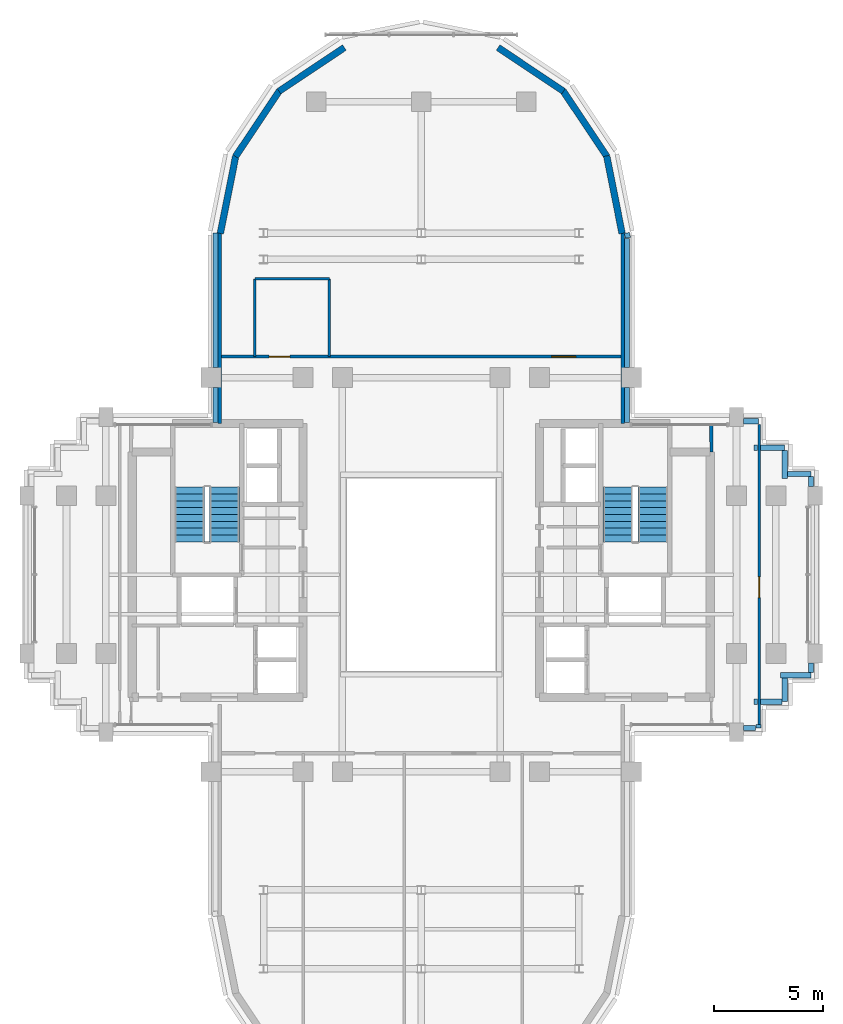
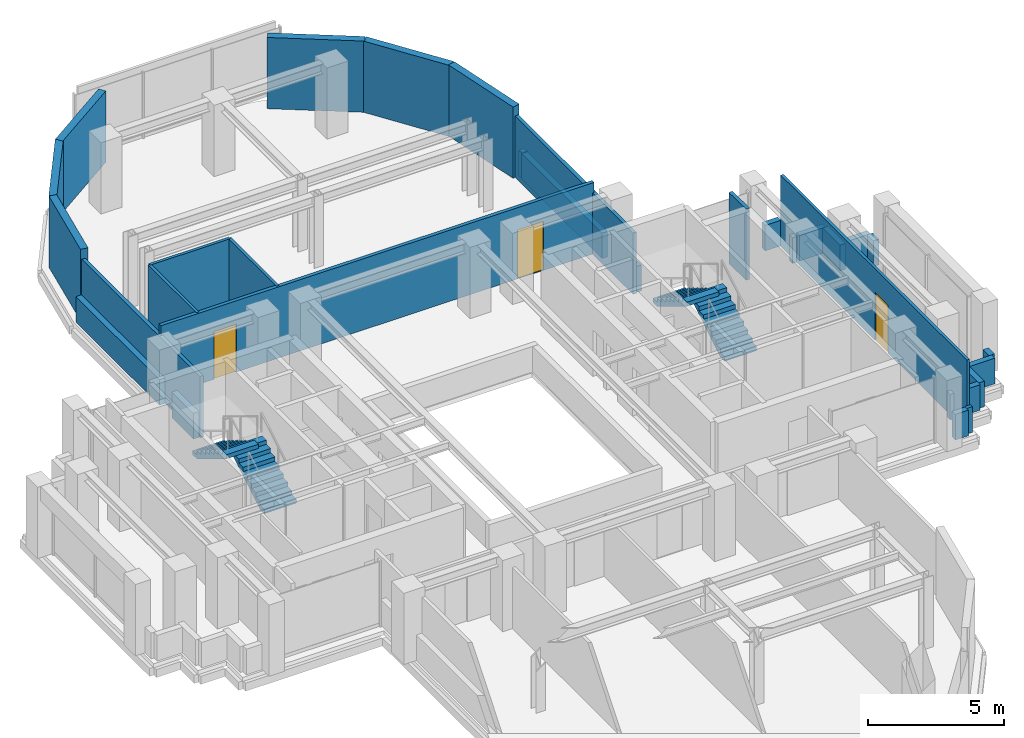
# One storey, part 8 of 11: 32 walls, 4 stair flights, 3 doors, 3 openings, 2 elements without a shape of their own.
"""IFC4 building model written with IfcOpenShell, lengths in metres."""

import ifcopenshell
import ifcopenshell.guid

model = None  # the IFC model being written
_history = None  # IfcOwnerHistory: only IFC2X3 demands one
_inside = {}  # id of a spatial element -> (the spatial element, [elements in it])
_under = {}  # id of a project, library or spatial element -> (it, [spatial elements below it])
_declared = {}  # id of a project -> (the project, [libraries it declares])
_typed = {}  # id of a type object -> (the type object, [elements of that type])
_made_of = {}  # id of a material, layer set ... -> (it, [elements and type objects made of it])


def new_model(schema):
    """Start an empty IFC model of exactly this schema.

    Asked for "IFC4X3", IfcOpenShell would pick the latest addendum, in which some entities
    have other attributes; the version numbers below select the first issue.
    IFC2X3 requires an IfcOwnerHistory on every rooted entity: one is made here for all.
    """
    global model, _history
    if schema == "IFC4X3":
        model = ifcopenshell.file(schema_version=(4, 3, 0, 0))
    else:
        model = ifcopenshell.file(schema=schema)
    _inside.clear()
    _under.clear()
    _declared.clear()
    _typed.clear()
    _made_of.clear()
    _history = None
    if model.schema == "IFC2X3":
        org = make("IfcOrganization", Name="unknown")
        user = make(
            "IfcPersonAndOrganization",
            ThePerson=make("IfcPerson", FamilyName="unknown"),
            TheOrganization=org,
        )
        app = make(
            "IfcApplication",
            ApplicationDeveloper=org,
            Version="unknown",
            ApplicationFullName="unknown",
            ApplicationIdentifier="unknown",
        )
        _history = make(
            "IfcOwnerHistory",
            OwningUser=user,
            OwningApplication=app,
            ChangeAction="ADDED",
            CreationDate=0,
        )
    return model


def make(cls, **values):
    """One entity of the class cls with the attributes given. An attribute that is None is left unset."""
    return model.create_entity(
        cls, **{name: value for name, value in values.items() if value is not None}
    )


def rooted(cls, **values):
    """An entity with a GlobalId (a new one), such as an element, a storey or a relation."""
    return make(cls, GlobalId=ifcopenshell.guid.new(), OwnerHistory=_history, **values)


def si_unit(unit_type, name, prefix=None):
    """IfcSIUnit, for example si_unit("LENGTHUNIT", "METRE", prefix="MILLI")."""
    return make("IfcSIUnit", UnitType=unit_type, Prefix=prefix, Name=name)


def assignment(units):
    """IfcUnitAssignment: the units of a project."""
    return None if units is None else make("IfcUnitAssignment", Units=units)


def point(xyz):
    """IfcCartesianPoint."""
    return None if xyz is None else make("IfcCartesianPoint", Coordinates=xyz)


def direction(xyz):
    """IfcDirection."""
    return None if xyz is None else make("IfcDirection", DirectionRatios=xyz)


def frame(location, z_axis=None, x_axis=None):
    """IfcAxis2Placement3D, a coordinate frame: its origin and axes. An axis left out is left unset."""
    return make(
        "IfcAxis2Placement3D",
        Location=point(location),
        Axis=direction(z_axis),
        RefDirection=direction(x_axis),
    )


def frame_2d(location, x_axis=None):
    """IfcAxis2Placement2D, a coordinate frame in the plane: its origin and x axis."""
    return make(
        "IfcAxis2Placement2D", Location=point(location), RefDirection=direction(x_axis)
    )


def origin():
    """The frame at (0, 0, 0) with its axes left unset."""
    return frame((0.0, 0.0, 0.0))


def place(relative_to, where):
    """IfcLocalPlacement: puts the frame where relative to a parent placement (None: the world)."""
    return make(
        "IfcLocalPlacement", PlacementRelTo=relative_to, RelativePlacement=where
    )


def context(
    kind, dimensions, precision=None, world=None, true_north=None, identifier=None
):
    """IfcGeometricRepresentationContext, for example the 3D "Model" context."""
    return make(
        "IfcGeometricRepresentationContext",
        ContextIdentifier=identifier,
        ContextType=kind,
        CoordinateSpaceDimension=dimensions,
        Precision=precision,
        WorldCoordinateSystem=world,
        TrueNorth=true_north,
    )


def subcontext(parent, identifier, kind, view, scale=None):
    """IfcGeometricRepresentationSubContext, for example "Body" below "Model"."""
    return make(
        "IfcGeometricRepresentationSubContext",
        ContextIdentifier=identifier,
        ContextType=kind,
        ParentContext=parent,
        TargetScale=scale,
        TargetView=view,
    )


def project(units=None, contexts=None):
    """IfcProject with its units and contexts."""
    return rooted(
        "IfcProject",
        Name="project",
        RepresentationContexts=contexts,
        UnitsInContext=assignment(units),
    )


def spatial(cls, under=None, at=None, **own):
    """A site, building, storey or space (cls), placed at a placement, below another one or the project."""
    s = rooted(cls, ObjectPlacement=at, **own)
    if under is not None:
        _under.setdefault(under.id(), (under, []))[1].append(s)
    return s


def polyline(points):
    """IfcPolyline through the points."""
    return make("IfcPolyline", Points=[point(p) for p in points])


def profile(cls, at=None, kind="AREA", **sizes):
    """A parametric profile (cls). Its sizes go by their IFC names, for example OverallWidth=200.0."""
    return make(cls, ProfileType=kind, Position=at, **sizes)


def rectangle(**sizes):
    """IfcRectangleProfileDef."""
    return profile("IfcRectangleProfileDef", **sizes)


def outline(outer, holes=None, kind="AREA"):
    """IfcArbitraryClosedProfileDef: a profile drawn as a closed curve; with holes, ...WithVoids."""
    if holes is None:
        return make("IfcArbitraryClosedProfileDef", ProfileType=kind, OuterCurve=outer)
    return make(
        "IfcArbitraryProfileDefWithVoids",
        ProfileType=kind,
        OuterCurve=outer,
        InnerCurves=holes,
    )


def extrude(swept, where, along, depth):
    """IfcExtrudedAreaSolid: the profile swept, set in the frame where, extruded along a direction by depth."""
    return make(
        "IfcExtrudedAreaSolid",
        SweptArea=swept,
        Position=where,
        ExtrudedDirection=direction(along),
        Depth=depth,
    )


def shape(context_of_items, identifier, shape_type, items):
    """IfcShapeRepresentation: the items that make up one representation, for example the "Body"."""
    return make(
        "IfcShapeRepresentation",
        ContextOfItems=context_of_items,
        RepresentationIdentifier=identifier,
        RepresentationType=shape_type,
        Items=items,
    )


def source(mapping_origin, context_of_items, identifier, shape_type, items):
    """IfcRepresentationMap: a shape defined once, which mapped items show again and again."""
    return make(
        "IfcRepresentationMap",
        MappingOrigin=mapping_origin,
        MappedRepresentation=shape(context_of_items, identifier, shape_type, items),
    )


def transform(
    local_origin,
    x_axis=None,
    y_axis=None,
    z_axis=None,
    scale=None,
    scale2=None,
    scale3=None,
    uniform=True,
):
    """IfcCartesianTransformationOperator3D, or its non-uniform kind. x_axis, y_axis, z_axis: its Axis1, 2, 3."""
    if uniform:
        return make(
            "IfcCartesianTransformationOperator3D",
            Axis1=direction(x_axis),
            Axis2=direction(y_axis),
            LocalOrigin=point(local_origin),
            Scale=scale,
            Axis3=direction(z_axis),
        )
    return make(
        "IfcCartesianTransformationOperator3DnonUniform",
        Axis1=direction(x_axis),
        Axis2=direction(y_axis),
        LocalOrigin=point(local_origin),
        Scale=scale,
        Axis3=direction(z_axis),
        Scale2=scale2,
        Scale3=scale3,
    )


def mapped(mapping_source, mapping_target):
    """IfcMappedItem: shows the shape of a source again, moved by a transform."""
    return make(
        "IfcMappedItem", MappingSource=mapping_source, MappingTarget=mapping_target
    )


def material(Name=None, Category=None):
    """IfcMaterial."""
    return make("IfcMaterial", Name=Name, Category=Category)


def layer(
    of_material, thickness, ventilated=None, Name=None, Category=None, Priority=None
):
    """IfcMaterialLayer: one layer of a wall or slab, of a material (None: an air gap)."""
    return make(
        "IfcMaterialLayer",
        Material=of_material,
        LayerThickness=thickness,
        IsVentilated=ventilated,
        Name=Name,
        Category=Category,
        Priority=Priority,
    )


def layer_set(layers, Name=None):
    """IfcMaterialLayerSet."""
    return make("IfcMaterialLayerSet", MaterialLayers=layers, LayerSetName=Name)


def made_of(thing, what):
    """Note that an element or type object is made of a material, layer set ...; save() writes the relation."""
    if what is not None:
        _made_of.setdefault(what.id(), (what, []))[1].append(thing)
    return thing


def type_object(cls, material=None, **own):
    """A type object (cls), such as IfcWallType, which elements share."""
    return made_of(rooted(cls, **own), material)


def element(
    cls,
    number,
    at=None,
    inside=None,
    cuts=None,
    type_object=None,
    material=None,
    context=None,
    identifier="Body",
    shape_type=None,
    held_by="IfcProductDefinitionShape",
    body=None,
    shapes=None,
    **own,
):
    """One element of the class cls, such as IfcWall. Its Tag is "e" and its number.

    at: its placement. inside: the storey or other place that contains it. cuts: it is an
    opening in that element (IfcRelVoidsElement). A single representation is given by context,
    identifier, shape_type and body (its items); several are given by shapes. held_by: the class
    of the entity that holds the representations. save() writes the other relations.
    """
    e = rooted(cls, Tag="e%d" % number, ObjectPlacement=at, **own)
    if body is not None:
        shapes = [shape(context, identifier, shape_type, body)]
    if shapes is not None:
        e.Representation = make(held_by, Representations=shapes)
    if inside is not None:
        _inside.setdefault(inside.id(), (inside, []))[1].append(e)
    if cuts is not None:
        rooted(
            "IfcRelVoidsElement", RelatingBuildingElement=cuts, RelatedOpeningElement=e
        )
    if type_object is not None:
        _typed.setdefault(type_object.id(), (type_object, []))[1].append(e)
    return made_of(e, material)


def fill(opening, filler):
    """IfcRelFillsElement: the door or window that sits in an opening."""
    return rooted(
        "IfcRelFillsElement",
        RelatingOpeningElement=opening,
        RelatedBuildingElement=filler,
    )


def aggregate(whole, parts):
    """IfcRelAggregates: a whole, such as a stair, and the parts it consists of."""
    return rooted("IfcRelAggregates", RelatingObject=whole, RelatedObjects=parts)


def save(model, path):
    """Write the relations noted so far, then the file.

    IfcRelAggregates (storeys below a building ...), IfcRelContainedInSpatialStructure (elements
    in a storey), IfcRelDefinesByType, IfcRelAssociatesMaterial and IfcRelDeclares: one each for
    every whole, place, type object, material and project.
    """
    for whole, parts in _under.values():
        aggregate(whole, parts)
    for where, things in _inside.values():
        rooted(
            "IfcRelContainedInSpatialStructure",
            RelatedElements=things,
            RelatingStructure=where,
        )
    for kind, things in _typed.values():
        rooted("IfcRelDefinesByType", RelatedObjects=things, RelatingType=kind)
    for what, things in _made_of.values():
        rooted("IfcRelAssociatesMaterial", RelatedObjects=things, RelatingMaterial=what)
    for by, libraries in _declared.values():
        rooted("IfcRelDeclares", RelatingContext=by, RelatedDefinitions=libraries)
    model.write(path)


model = new_model("IFC4")

# Units and contexts
model_context = context("Model", 3, precision=1e-05, world=origin(), true_north=direction((0.0, 1.0)))
body_context = subcontext(model_context, "Body", "Model", "MODEL_VIEW")
ifc_project = project(units=[si_unit("LENGTHUNIT", "METRE"), si_unit("AREAUNIT", "SQUARE_METRE"), si_unit("VOLUMEUNIT", "CUBIC_METRE"), si_unit("PLANEANGLEUNIT", "RADIAN"), si_unit("MASSUNIT", "GRAM", prefix="KILO")], contexts=[model_context])

# Site, building, storey
site_placement = place(None, origin())
site = spatial("IfcSite", under=ifc_project, at=site_placement, CompositionType="ELEMENT")
building_placement = place(site_placement, origin())
building = spatial("IfcBuilding", under=site, at=building_placement, Name="Keilestroom Media Tower", CompositionType="ELEMENT")
storey_placement = place(building_placement, frame((0.0, 0.0, 167.199951171875)))
storey = spatial("IfcBuildingStorey", under=building, at=storey_placement, Name="L45", CompositionType="ELEMENT", Elevation=167.199951171875)

# Walls
ifc_material_1 = material(Name="Precast concrete C40/50", Category="concrete")
ifc_layer_1 = layer(ifc_material_1, 0.300048828125)
ifc_layer_set_1 = layer_set([ifc_layer_1], Name="Precast concrete C40/50")
wall_type_1 = type_object("IfcWallType", Name="Exterior-Masonry-Spandrel-Wall-300", PredefinedType="SOLIDWALL", material=ifc_layer_set_1)
for number, where, z_axis, x_axis, name in (
    (1, (9.1748046875, 15.585205078125, 0.0), (0.0, 0.0, 1.0), (-0.195114232679, 0.980780523974, 0.0), "L45 Lobe Facet Precast Frame Wall 01"),
    (2, (8.48193359375, 19.097412109375, 0.0), (0.0, 0.0, 1.0), (-0.555574187116, 0.831466970246, 0.0), "L45 Lobe Facet Precast Frame Wall 02"),
):
    element("IfcWall", number, at=place(storey_placement, frame(where, z_axis=z_axis, x_axis=x_axis)), inside=storey, type_object=wall_type_1, Name=name, PredefinedType="SOLIDWALL", context=body_context, shape_type="SweptSolid", body=[
        extrude(rectangle(XDim=3.608642578125, YDim=0.300048828125, at=frame_2d((1.80419921875, 0.0))), origin(), (0.0, 0.0, 1.0), 3.199951171875),
    ])
for number, where, z_axis, x_axis, name in (
    (3, (6.497802734375, 22.0771484375, 0.0), (0.0, 0.0, 1.0), (-0.8314749531, 0.555562239868, 0.0), "L45 Lobe Facet Precast Frame Wall 03"),
    (4, (-3.510009765625, 24.073486328125, 0.0), (0.0, 0.0, 1.0), (-0.8314749531, -0.555562239868, 0.0), "L45 Lobe Facet Precast Frame Wall 04"),
):
    element("IfcWall", number, at=place(storey_placement, frame(where, z_axis=z_axis, x_axis=x_axis)), inside=storey, type_object=wall_type_1, Name=name, PredefinedType="SOLIDWALL", context=body_context, shape_type="SweptSolid", body=[
        extrude(rectangle(XDim=3.59326171875, YDim=0.300048828125, at=frame_2d((1.796630859375, 0.0))), origin(), (0.0, 0.0, 1.0), 3.199951171875),
    ])
for number, where, z_axis, x_axis, name in (
    (5, (-6.47705078125, 22.097900390625, 0.0), (0.0, 0.0, 1.0), (-0.555574187116, -0.831466970246, 0.0), "L45 Lobe Facet Precast Frame Wall 05"),
    (6, (-8.470703125, 19.12451171875, 0.0), (0.0, 0.0, 1.0), (-0.195114232679, -0.980780523974, 0.0), "L45 Lobe Facet Precast Frame Wall 06"),
):
    element("IfcWall", number, at=place(storey_placement, frame(where, z_axis=z_axis, x_axis=x_axis)), inside=storey, type_object=wall_type_1, Name=name, PredefinedType="SOLIDWALL", context=body_context, shape_type="SweptSolid", body=[
        extrude(rectangle(XDim=3.608642578125, YDim=0.300048828125, at=frame_2d((1.80419921875, 0.0))), origin(), (0.0, 0.0, 1.0), 3.199951171875),
    ])
ifc_material_2 = material(Name="Gypsum Plasterboard & Steel Stud", Category="steel")
ifc_layer_2 = layer(ifc_material_2, 0.1201171875)
ifc_layer_set_2 = layer_set([ifc_layer_2], Name="Gypsum Plasterboard & Steel Stud")
wall_type_2 = type_object("IfcWallType", Name="Interior-Partition-Wall-120", PredefinedType="PARTITIONING", material=ifc_layer_set_2)
wall_1_placement = place(storey_placement, frame((-7.60009765625, 13.510009765625, 0.0), z_axis=(0.0, 0.0, 1.0), x_axis=(1.0, 0.0, 0.0)))
element("IfcWall", 7, at=wall_1_placement, inside=storey, type_object=wall_type_2, Name="L45 Interior Wall WP-L45-NL-WC-N", PredefinedType="PARTITIONING", context=body_context, shape_type="SweptSolid", body=[
    extrude(rectangle(XDim=3.400146484375, YDim=0.1201171875, at=frame_2d((1.7001953125, 0.0))), origin(), (0.0, 0.0, 1.0), 3.199951171875),
])
for number, where, z_axis, x_axis, name in (
    (8, (-7.60009765625, 9.9599609375, 0.0), (0.0, 0.0, 1.0), (0.0, 1.0, 0.0), "L45 Interior Wall WP-L45-NL-WC-W"),
    (9, (-4.199951171875, 9.9599609375, 0.0), (0.0, 0.0, 1.0), (0.0, 1.0, 0.0), "L45 Interior Wall WP-L45-NL-WC-E"),
):
    element("IfcWall", number, at=place(storey_placement, frame(where, z_axis=z_axis, x_axis=x_axis)), inside=storey, type_object=wall_type_2, Name=name, PredefinedType="PARTITIONING", context=body_context, shape_type="SweptSolid", body=[
        extrude(rectangle(XDim=3.550048828125, YDim=0.1201171875, at=frame_2d((1.77490234375, 0.0))), origin(), (0.0, 0.0, 1.0), 3.199951171875),
    ])

# Wall, opening, door
wall_2_placement = place(storey_placement, frame((15.429931640625, -6.85009765625, 0.0), z_axis=(0.0, 0.0, 1.0), x_axis=(0.0, 1.0, 0.0)))
wall_2 = element("IfcWall", 10, at=wall_2_placement, inside=storey, type_object=wall_type_2, Name="L45 Interior Wall WP-L45-EA-V", PredefinedType="PARTITIONING", context=body_context, shape_type="SweptSolid", body=[
    extrude(rectangle(XDim=13.7001953125, YDim=0.1201171875, at=frame_2d((6.85009765625, 0.0))), origin(), (0.0, 0.0, 1.0), 3.199951171875),
])
opening_1_placement = place(wall_2_placement, frame((5.800048828125, 0.0, 0.0)))
opening_1 = element("IfcOpeningElement", 11, at=opening_1_placement, cuts=wall_2, Name="Opening DI-03", PredefinedType="OPENING", context=body_context, shape_type="SweptSolid", body=[
    extrude(rectangle(XDim=0.949951171875, YDim=2.14990234375, at=frame_2d((0.47509765625, 1.074951171875))), frame((0.0, 0.070068359375, 0.0), z_axis=(0.0, -1.0, 0.0), x_axis=(1.0, 0.0, 0.0)), (0.0, 0.0, 1.0), 0.14013671875),
])
ifc_material_3 = material(Name="Lacquered European Oak Leaf", Category="wood")
door_type_1 = type_object("IfcDoorType", Name="Interior-Room-And-Suite-Door-DI-03", OperationType="NOTDEFINED", PredefinedType="DOOR", material=ifc_material_3)
shared_shape_1 = source(origin(), body_context, "Body", "SweptSolid", [
    extrude(rectangle(XDim=0.949951171875, YDim=2.14990234375, at=frame_2d((0.47509765625, 1.074951171875))), frame((0.0, 0.02490234375, 0.0), z_axis=(0.0, -1.0, 0.0), x_axis=(1.0, 0.0, 0.0)), (0.0, 0.0, 1.0), 0.050048828125),
])
door_1_placement = place(opening_1_placement, origin())
door_1 = element("IfcDoor", 12, at=door_1_placement, inside=storey, type_object=door_type_1, Name="L45 Interior Door DI-L45-DEA-E", OperationType="SINGLE_SWING_RIGHT", OverallHeight=2.14990234375, OverallWidth=0.949951171875, PredefinedType="DOOR", context=body_context, shape_type="MappedRepresentation", body=[
    mapped(shared_shape_1, transform((0.0, 0.0, 0.0), x_axis=(1.0, 0.0, 0.0), y_axis=(0.0, 1.0, 0.0), z_axis=(0.0, 0.0, 1.0), scale=1.0)),
])
fill(opening_1, door_1)

# Wall, openings, doors
ifc_layer_3 = layer(ifc_material_2, 0.14990234375)
ifc_layer_set_3 = layer_set([ifc_layer_3], Name="Gypsum Plasterboard & Steel Stud")
wall_type_3 = type_object("IfcWallType", Name="Interior-Partition-Wall-150", PredefinedType="PARTITIONING", material=ifc_layer_set_3)
wall_3_placement = place(storey_placement, frame((-9.199951171875, 9.9599609375, 0.0), z_axis=(0.0, 0.0, 1.0), x_axis=(1.0, 0.0, 0.0)))
wall_3 = element("IfcWall", 13, at=wall_3_placement, inside=storey, type_object=wall_type_3, Name="L45 Interior Wall WP-L45-NL-BASE", PredefinedType="PARTITIONING", context=body_context, shape_type="SweptSolid", body=[
    extrude(rectangle(XDim=18.39990234375, YDim=0.14990234375, at=frame_2d((9.199951171875, 0.0))), origin(), (0.0, 0.0, 1.0), 3.199951171875),
])
opening_2_placement = place(wall_3_placement, frame((2.25, 0.0, 0.0)))
opening_2 = element("IfcOpeningElement", 14, at=opening_2_placement, cuts=wall_3, Name="Opening DI-03", PredefinedType="OPENING", context=body_context, shape_type="SweptSolid", body=[
    extrude(rectangle(XDim=0.949951171875, YDim=2.14990234375, at=frame_2d((0.47509765625, 1.074951171875))), frame((0.0, 0.0849609375, 0.0), z_axis=(0.0, -1.0, 0.0), x_axis=(1.0, 0.0, 0.0)), (0.0, 0.0, 1.0), 0.169921875),
])
opening_3_placement = place(wall_3_placement, frame((15.14990234375, 0.0, 0.0)))
opening_3 = element("IfcOpeningElement", 15, at=opening_3_placement, cuts=wall_3, Name="Opening DI-04", PredefinedType="OPENING", context=body_context, shape_type="SweptSolid", body=[
    extrude(rectangle(XDim=1.10009765625, YDim=2.199951171875, at=frame_2d((0.550048828125, 1.10009765625))), frame((0.0, 0.0849609375, 0.0), z_axis=(0.0, -1.0, 0.0), x_axis=(1.0, 0.0, 0.0)), (0.0, 0.0, 1.0), 0.169921875),
])
door_2_placement = place(opening_2_placement, origin())
door_2 = element("IfcDoor", 16, at=door_2_placement, inside=storey, type_object=door_type_1, Name="L45 Interior Door DI-L45-DNL-WC", OperationType="SINGLE_SWING_RIGHT", OverallHeight=2.14990234375, OverallWidth=0.949951171875, PredefinedType="DOOR", context=body_context, shape_type="MappedRepresentation", body=[
    mapped(shared_shape_1, transform((0.0, 0.0, 0.0), x_axis=(1.0, 0.0, 0.0), y_axis=(0.0, 1.0, 0.0), z_axis=(0.0, 0.0, 1.0), scale=1.0)),
])
fill(opening_2, door_2)
ifc_material_4 = material(Name="Acoustic Glazed Aluminium Leaf", Category="aluminium")
door_type_2 = type_object("IfcDoorType", Name="Interior-Room-And-Suite-Door-DI-04", OperationType="NOTDEFINED", PredefinedType="DOOR", material=ifc_material_4)
shared_shape_2 = source(origin(), body_context, "Body", "SweptSolid", [
    extrude(rectangle(XDim=1.10009765625, YDim=2.199951171875, at=frame_2d((0.550048828125, 1.10009765625))), frame((0.0, 0.02490234375, 0.0), z_axis=(0.0, -1.0, 0.0), x_axis=(1.0, 0.0, 0.0)), (0.0, 0.0, 1.0), 0.050048828125),
])
door_3_placement = place(opening_3_placement, origin())
door_3 = element("IfcDoor", 17, at=door_3_placement, inside=storey, type_object=door_type_2, Name="L45 Interior Door DI-L45-DNL-HALL", OperationType="SINGLE_SWING_LEFT", OverallHeight=2.199951171875, OverallWidth=1.10009765625, PredefinedType="DOOR", context=body_context, shape_type="MappedRepresentation", body=[
    mapped(shared_shape_2, transform((0.0, 0.0, 0.0), x_axis=(1.0, 0.0, 0.0), y_axis=(0.0, 1.0, 0.0), z_axis=(0.0, 0.0, 1.0), scale=1.0)),
])
fill(opening_3, door_3)

# Walls
for number, where, z_axis, x_axis, name in (
    (18, (-9.199951171875, 6.89990234375, 0.0), (0.0, 0.0, 1.0), (0.0, 1.0, 0.0), "L45 Interior Wall WP-L45-NL-CHKW"),
    (19, (9.199951171875, 6.89990234375, 0.0), (0.0, 0.0, 1.0), (0.0, 1.0, 0.0), "L45 Interior Wall WP-L45-NL-CHKE"),
):
    element("IfcWall", number, at=place(storey_placement, frame(where, z_axis=z_axis, x_axis=x_axis)), inside=storey, type_object=wall_type_3, Name=name, PredefinedType="PARTITIONING", context=body_context, shape_type="SweptSolid", body=[
        extrude(rectangle(XDim=8.780029296875, YDim=0.14990234375, at=frame_2d((4.39013671875, 0.0))), origin(), (0.0, 0.0, 1.0), 2.75),
    ])
wall_4_placement = place(storey_placement, frame((13.260009765625, 5.60009765625, 0.0), z_axis=(0.0, 0.0, 1.0), x_axis=(-0.016013571389, 0.999871774545, 0.0)))
element("IfcWall", 20, at=wall_4_placement, inside=storey, type_object=wall_type_3, Name="L45 Interior Wall WP-L45-EA-ENTN", PredefinedType="PARTITIONING", context=body_context, shape_type="SweptSolid", body=[
    extrude(rectangle(XDim=1.250244140625, YDim=0.14990234375, at=frame_2d((0.625, 0.0))), origin(), (0.0, 0.0, 1.0), 3.199951171875),
])
ifc_layer_4 = layer(ifc_material_1, 0.239990234375)
ifc_layer_set_4 = layer_set([ifc_layer_4], Name="Precast concrete C40/50")
wall_type_4 = type_object("IfcWallType", Name="Roof-And-Terrace-Parapet-Wall-240", PredefinedType="PARAPET", material=ifc_layer_set_4)
wall_5_placement = place(storey_placement, frame((17.800048828125, -4.60009765625, 0.0), z_axis=(0.0, 0.0, 1.0), x_axis=(-1.0, 0.0, 0.0)))
element("IfcWall", 21, at=wall_5_placement, inside=storey, type_object=wall_type_4, Name="L45 Perimeter Edge Parapet Wall 01", PredefinedType="PARAPET", context=body_context, shape_type="SweptSolid", body=[
    extrude(rectangle(XDim=1.400146484375, YDim=0.239990234375, at=frame_2d((0.7001953125, 0.0))), origin(), (0.0, 0.0, 1.0), 1.150146484375),
])
wall_6_placement = place(storey_placement, frame((16.60009765625, -4.722900390625, 0.0), z_axis=(0.0, 0.0, 1.0), x_axis=(0.0, -1.0, 0.0)))
element("IfcWall", 22, at=wall_6_placement, inside=storey, type_object=wall_type_4, Name="L45 Perimeter Edge Parapet Wall 02", PredefinedType="PARAPET", context=body_context, shape_type="SweptSolid", body=[
    extrude(rectangle(XDim=1.0771484375, YDim=0.239990234375, at=frame_2d((0.53857421875, 0.0))), origin(), (0.0, 0.0, 1.0), 1.150146484375),
])
wall_7_placement = place(storey_placement, frame((16.47705078125, -5.800048828125, 0.0), z_axis=(0.0, 0.0, 1.0), x_axis=(-1.0, 0.0, 0.0)))
element("IfcWall", 23, at=wall_7_placement, inside=storey, type_object=wall_type_4, Name="L45 Perimeter Edge Parapet Wall 03", PredefinedType="PARAPET", context=body_context, shape_type="SweptSolid", body=[
    extrude(rectangle(XDim=0.984130859375, YDim=0.239990234375, at=frame_2d((0.4921875, 0.0))), origin(), (0.0, 0.0, 1.0), 1.150146484375),
])
wall_8_placement = place(storey_placement, frame((15.366943359375, -5.800048828125, 0.0), z_axis=(0.0, 0.0, 1.0), x_axis=(-1.0, 0.0, 0.0)))
element("IfcWall", 24, at=wall_8_placement, inside=storey, type_object=wall_type_4, Name="L45 Perimeter Edge Parapet Wall 04", PredefinedType="PARAPET", context=body_context, shape_type="SweptSolid", body=[
    extrude(rectangle(XDim=0.1669921875, YDim=0.239990234375, at=frame_2d((0.08349609375, 0.0))), origin(), (0.0, 0.0, 1.0), 1.150146484375),
])
wall_9_placement = place(storey_placement, frame((15.39990234375, -6.85302734375, 0.0), z_axis=(0.0, 0.0, 1.0), x_axis=(0.0, -1.0, 0.0)))
element("IfcWall", 25, at=wall_9_placement, inside=storey, type_object=wall_type_4, Name="L45 Perimeter Edge Parapet Wall 05", PredefinedType="PARAPET", context=body_context, shape_type="SweptSolid", body=[
    extrude(rectangle(XDim=0.14697265625, YDim=0.239990234375, at=frame_2d((0.073486328125, 0.0))), origin(), (0.0, 0.0, 1.0), 1.150146484375),
])
wall_10_placement = place(storey_placement, frame((15.277099609375, -7.0, 0.0), z_axis=(0.0, 0.0, 1.0), x_axis=(-1.0, 0.0, 0.0)))
element("IfcWall", 26, at=wall_10_placement, inside=storey, type_object=wall_type_4, Name="L45 Perimeter Edge Parapet Wall 06", PredefinedType="PARAPET", context=body_context, shape_type="SweptSolid", body=[
    extrude(rectangle(XDim=0.549072265625, YDim=0.239990234375, at=frame_2d((0.2744140625, 0.0))), origin(), (0.0, 0.0, 1.0), 1.150146484375),
])
wall_11_placement = place(storey_placement, frame((-9.39990234375, 6.952880859375, 0.0), z_axis=(0.0, 0.0, 1.0), x_axis=(0.0, 1.0, 0.0)))
element("IfcWall", 27, at=wall_11_placement, inside=storey, type_object=wall_type_4, Name="L45 Perimeter Edge Parapet Wall 25", PredefinedType="PARAPET", context=body_context, shape_type="SweptSolid", body=[
    extrude(rectangle(XDim=1.59423828125, YDim=0.239990234375, at=frame_2d((0.797119140625, 0.0))), origin(), (0.0, 0.0, 1.0), 1.150146484375),
])
wall_12_placement = place(storey_placement, frame((-9.39990234375, 9.452880859375, 0.0), z_axis=(0.0, 0.0, 1.0), x_axis=(0.0, 1.0, 0.0)))
element("IfcWall", 28, at=wall_12_placement, inside=storey, type_object=wall_type_4, Name="L45 Perimeter Edge Parapet Wall 26", PredefinedType="PARAPET", context=body_context, shape_type="SweptSolid", body=[
    extrude(rectangle(XDim=6.14990234375, YDim=0.239990234375, at=frame_2d((3.074951171875, 0.0))), origin(), (0.0, 0.0, 1.0), 1.150146484375),
])
wall_13_placement = place(storey_placement, frame((9.395263671875, 15.604248046875, 0.0), z_axis=(0.0, 0.0, 1.0), x_axis=(0.194652052864, -0.980872355771, 0.0)))
element("IfcWall", 29, at=wall_13_placement, inside=storey, type_object=wall_type_4, Name="L45 Perimeter Edge Parapet Wall 27", PredefinedType="PARAPET", context=body_context, shape_type="SweptSolid", body=[
    extrude(rectangle(XDim=0.224609375, YDim=0.239990234375, at=frame_2d((0.1123046875, 0.0))), origin(), (0.0, 0.0, 1.0), 1.150146484375),
])
wall_14_placement = place(storey_placement, frame((9.39990234375, 15.357666015625, 0.0), z_axis=(0.0, 0.0, 1.0), x_axis=(0.0, -1.0, 0.0)))
element("IfcWall", 30, at=wall_14_placement, inside=storey, type_object=wall_type_4, Name="L45 Perimeter Edge Parapet Wall 28", PredefinedType="PARAPET", context=body_context, shape_type="SweptSolid", body=[
    extrude(rectangle(XDim=5.90478515625, YDim=0.239990234375, at=frame_2d((2.952392578125, 0.0))), origin(), (0.0, 0.0, 1.0), 1.150146484375),
])
wall_15_placement = place(storey_placement, frame((9.39990234375, 8.547119140625, 0.0), z_axis=(0.0, 0.0, 1.0), x_axis=(0.0, -1.0, 0.0)))
element("IfcWall", 31, at=wall_15_placement, inside=storey, type_object=wall_type_4, Name="L45 Perimeter Edge Parapet Wall 29", PredefinedType="PARAPET", context=body_context, shape_type="SweptSolid", body=[
    extrude(rectangle(XDim=1.59423828125, YDim=0.239990234375, at=frame_2d((0.797119140625, 0.0))), origin(), (0.0, 0.0, 1.0), 1.150146484375),
])
wall_16_placement = place(storey_placement, frame((14.72802734375, 7.0, 0.0), z_axis=(0.0, 0.0, 1.0), x_axis=(1.0, 0.0, 0.0)))
element("IfcWall", 32, at=wall_16_placement, inside=storey, type_object=wall_type_4, Name="L45 Perimeter Edge Parapet Wall 30", PredefinedType="PARAPET", context=body_context, shape_type="SweptSolid", body=[
    extrude(rectangle(XDim=0.671875, YDim=0.239990234375, at=frame_2d((0.3359375, 0.0))), origin(), (0.0, 0.0, 1.0), 1.150146484375),
])
wall_17_placement = place(storey_placement, frame((15.199951171875, 5.800048828125, 0.0), z_axis=(0.0, 0.0, 1.0), x_axis=(1.0, 0.0, 0.0)))
element("IfcWall", 33, at=wall_17_placement, inside=storey, type_object=wall_type_4, Name="L45 Perimeter Edge Parapet Wall 31", PredefinedType="PARAPET", context=body_context, shape_type="SweptSolid", body=[
    extrude(rectangle(XDim=0.1669921875, YDim=0.239990234375, at=frame_2d((0.08349609375, 0.0))), origin(), (0.0, 0.0, 1.0), 1.150146484375),
])
wall_18_placement = place(storey_placement, frame((15.492919921875, 5.800048828125, 0.0), z_axis=(0.0, 0.0, 1.0), x_axis=(1.0, 0.0, 0.0)))
element("IfcWall", 34, at=wall_18_placement, inside=storey, type_object=wall_type_4, Name="L45 Perimeter Edge Parapet Wall 32", PredefinedType="PARAPET", context=body_context, shape_type="SweptSolid", body=[
    extrude(rectangle(XDim=1.107177734375, YDim=0.239990234375, at=frame_2d((0.5537109375, 0.0))), origin(), (0.0, 0.0, 1.0), 1.150146484375),
])
wall_19_placement = place(storey_placement, frame((16.60009765625, 5.677001953125, 0.0), z_axis=(0.0, 0.0, 1.0), x_axis=(0.0, -1.0, 0.0)))
element("IfcWall", 35, at=wall_19_placement, inside=storey, type_object=wall_type_4, Name="L45 Perimeter Edge Parapet Wall 33", PredefinedType="PARAPET", context=body_context, shape_type="SweptSolid", body=[
    extrude(rectangle(XDim=1.277099609375, YDim=0.239990234375, at=frame_2d((0.638671875, 0.0))), origin(), (0.0, 0.0, 1.0), 1.150146484375),
])
wall_20_placement = place(storey_placement, frame((16.722900390625, 4.60009765625, 0.0), z_axis=(0.0, 0.0, 1.0), x_axis=(1.0, 0.0, 0.0)))
element("IfcWall", 36, at=wall_20_placement, inside=storey, type_object=wall_type_4, Name="L45 Perimeter Edge Parapet Wall 34", PredefinedType="PARAPET", context=body_context, shape_type="SweptSolid", body=[
    extrude(rectangle(XDim=1.0771484375, YDim=0.239990234375, at=frame_2d((0.53857421875, 0.0))), origin(), (0.0, 0.0, 1.0), 1.150146484375),
])
for number, where, z_axis, x_axis, name in (
    (37, (17.800048828125, 4.47705078125, 0.0), (0.0, 0.0, 1.0), (0.0, -1.0, 0.0), "L45 Perimeter Edge Parapet Wall 35"),
    (38, (17.800048828125, -4.028076171875, 0.0), (0.0, 0.0, 1.0), (0.0, -1.0, 0.0), "L45 Perimeter Edge Parapet Wall 36"),
):
    element("IfcWall", number, at=place(storey_placement, frame(where, z_axis=z_axis, x_axis=x_axis)), inside=storey, type_object=wall_type_4, Name=name, PredefinedType="PARAPET", context=body_context, shape_type="SweptSolid", body=[
        extrude(rectangle(XDim=0.448974609375, YDim=0.239990234375, at=frame_2d((0.224609375, 0.0))), origin(), (0.0, 0.0, 1.0), 1.150146484375),
    ])

# Stair, stair flights
ifc_material_5 = material(Name="Concrete C45/55", Category="concrete")
stair_type = type_object("IfcStairType", Name="Enclosed-Dog-Leg-Stair-ST-CORE", PredefinedType="HALF_TURN_STAIR", material=ifc_material_5)
stair_1_placement = place(storey_placement, origin())
stair_1 = element("IfcStair", 39, at=stair_1_placement, inside=storey, type_object=stair_type, Name="L45 West Core Escape Stair ST-1", PredefinedType="HALF_TURN_STAIR")
stair_flight_type = type_object("IfcStairFlightType", Name="Precast-Concrete-Stair-Flight-Core-160", PredefinedType="STRAIGHT", material=ifc_material_1)
stair_flight_1_placement = place(storey_placement, frame((-8.97998046875, 1.5, 0.0), z_axis=(0.0, 0.0, 1.0), x_axis=(0.0, 1.0, 0.0)))
stair_flight_1 = element("IfcStairFlight", 40, at=stair_flight_1_placement, type_object=stair_flight_type, Name="ST-1 flight 1", NumberOfRisers=9, NumberOfTreads=8, PredefinedType="STRAIGHT", RiserHeight=0.188888889, TreadLength=0.312, context=body_context, shape_type="SweptSolid", body=[
    extrude(outline(polyline([(0.0, 0.0), (0.0, 0.18896484375), (0.31201171875, 0.18896484375), (0.31201171875, 0.377685546875), (0.6240234375, 0.377685546875), (0.6240234375, 0.566650390625), (0.93603515625, 0.566650390625), (0.93603515625, 0.755615234375), (1.248046875, 0.755615234375), (1.248046875, 0.9443359375), (1.56005859375, 0.9443359375), (1.56005859375, 1.13330078125), (1.8720703125, 1.13330078125), (1.8720703125, 1.322265625), (2.18408203125, 1.322265625), (2.18408203125, 1.51123046875), (2.49609375, 1.51123046875), (2.49609375, 1.699951171875), (2.49609375, 1.32421875), (0.308837890625, 0.0), (0.0, 0.0)])), frame((0.0, 0.68017578125, 0.0), z_axis=(0.0, -1.0, 0.0), x_axis=(1.0, 0.0, 0.0)), (0.0, 0.0, 1.0), 1.360107421875),
])
stair_flight_2_placement = place(storey_placement, frame((-10.580078125, 3.99609375, 1.699951171875), z_axis=(0.0, 0.0, 1.0), x_axis=(0.0, -1.0, 0.0)))
stair_flight_2 = element("IfcStairFlight", 41, at=stair_flight_2_placement, type_object=stair_flight_type, Name="ST-1 flight 2", NumberOfRisers=9, NumberOfTreads=8, PredefinedType="STRAIGHT", RiserHeight=0.188888889, TreadLength=0.312, context=body_context, shape_type="SweptSolid", body=[
    extrude(outline(polyline([(0.0, 0.0), (0.0, 0.18896484375), (0.31201171875, 0.18896484375), (0.31201171875, 0.377685546875), (0.6240234375, 0.377685546875), (0.6240234375, 0.566650390625), (0.93603515625, 0.566650390625), (0.93603515625, 0.755615234375), (1.248046875, 0.755615234375), (1.248046875, 0.9443359375), (1.56005859375, 0.9443359375), (1.56005859375, 1.13330078125), (1.8720703125, 1.13330078125), (1.8720703125, 1.322265625), (2.18408203125, 1.322265625), (2.18408203125, 1.51123046875), (2.49609375, 1.51123046875), (2.49609375, 1.699951171875), (2.49609375, 1.32421875), (0.308837890625, 0.0), (0.0, 0.0)])), frame((0.0, 0.68017578125, 0.0), z_axis=(0.0, -1.0, 0.0), x_axis=(1.0, 0.0, 0.0)), (0.0, 0.0, 1.0), 1.360107421875),
])
aggregate(stair_1, [stair_flight_1, stair_flight_2])

stair_2_placement = place(storey_placement, origin())
stair_2 = element("IfcStair", 42, at=stair_2_placement, inside=storey, type_object=stair_type, Name="L45 East Core Escape Stair ST-2", PredefinedType="HALF_TURN_STAIR")
stair_flight_3_placement = place(storey_placement, frame((10.580078125, 1.5, 0.0), z_axis=(0.0, 0.0, 1.0), x_axis=(0.0, 1.0, 0.0)))
stair_flight_3 = element("IfcStairFlight", 43, at=stair_flight_3_placement, type_object=stair_flight_type, Name="ST-2 flight 1", NumberOfRisers=9, NumberOfTreads=8, PredefinedType="STRAIGHT", RiserHeight=0.188888889, TreadLength=0.312, context=body_context, shape_type="SweptSolid", body=[
    extrude(outline(polyline([(0.0, 0.0), (0.0, 0.18896484375), (0.31201171875, 0.18896484375), (0.31201171875, 0.377685546875), (0.6240234375, 0.377685546875), (0.6240234375, 0.566650390625), (0.93603515625, 0.566650390625), (0.93603515625, 0.755615234375), (1.248046875, 0.755615234375), (1.248046875, 0.9443359375), (1.56005859375, 0.9443359375), (1.56005859375, 1.13330078125), (1.8720703125, 1.13330078125), (1.8720703125, 1.322265625), (2.18408203125, 1.322265625), (2.18408203125, 1.51123046875), (2.49609375, 1.51123046875), (2.49609375, 1.699951171875), (2.49609375, 1.32421875), (0.308837890625, 0.0), (0.0, 0.0)])), frame((0.0, 0.68017578125, 0.0), z_axis=(0.0, -1.0, 0.0), x_axis=(1.0, 0.0, 0.0)), (0.0, 0.0, 1.0), 1.360107421875),
])
stair_flight_4_placement = place(storey_placement, frame((8.97998046875, 3.99609375, 1.699951171875), z_axis=(0.0, 0.0, 1.0), x_axis=(0.0, -1.0, 0.0)))
stair_flight_4 = element("IfcStairFlight", 44, at=stair_flight_4_placement, type_object=stair_flight_type, Name="ST-2 flight 2", NumberOfRisers=9, NumberOfTreads=8, PredefinedType="STRAIGHT", RiserHeight=0.188888889, TreadLength=0.312, context=body_context, shape_type="SweptSolid", body=[
    extrude(outline(polyline([(0.0, 0.0), (0.0, 0.18896484375), (0.31201171875, 0.18896484375), (0.31201171875, 0.377685546875), (0.6240234375, 0.377685546875), (0.6240234375, 0.566650390625), (0.93603515625, 0.566650390625), (0.93603515625, 0.755615234375), (1.248046875, 0.755615234375), (1.248046875, 0.9443359375), (1.56005859375, 0.9443359375), (1.56005859375, 1.13330078125), (1.8720703125, 1.13330078125), (1.8720703125, 1.322265625), (2.18408203125, 1.322265625), (2.18408203125, 1.51123046875), (2.49609375, 1.51123046875), (2.49609375, 1.699951171875), (2.49609375, 1.32421875), (0.308837890625, 0.0), (0.0, 0.0)])), frame((0.0, 0.68017578125, 0.0), z_axis=(0.0, -1.0, 0.0), x_axis=(1.0, 0.0, 0.0)), (0.0, 0.0, 1.0), 1.360107421875),
])
aggregate(stair_2, [stair_flight_3, stair_flight_4])

save(model, "model.ifc")
